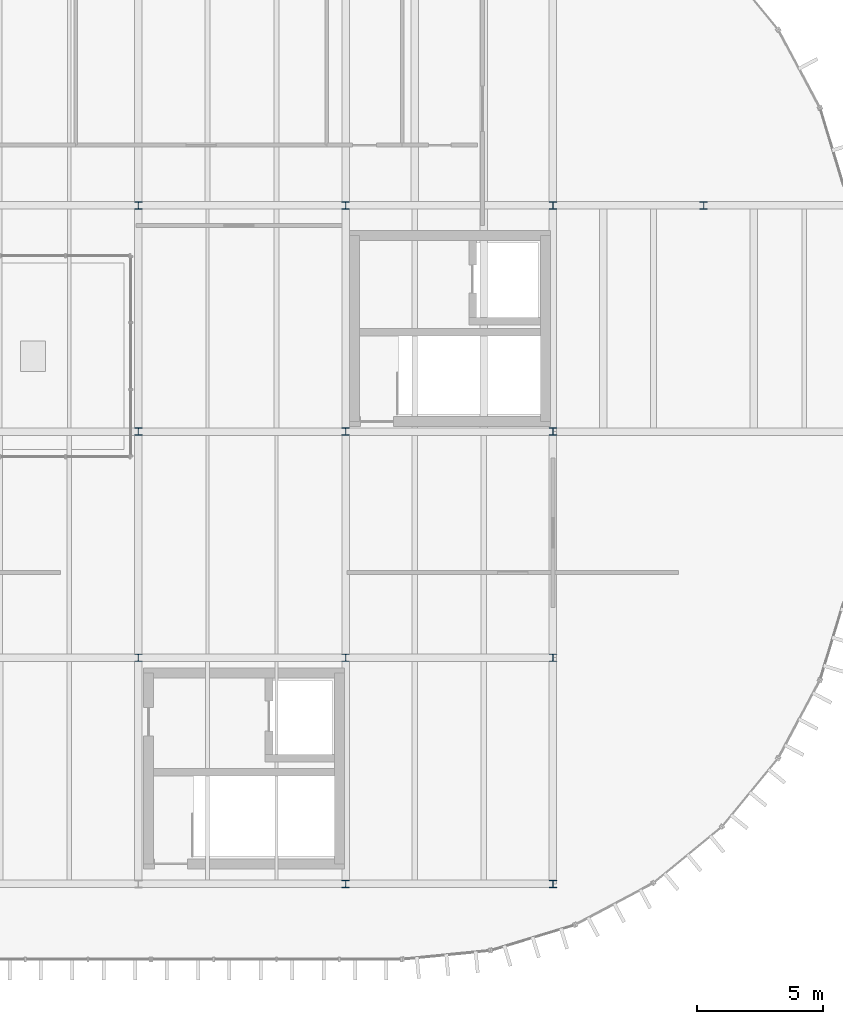
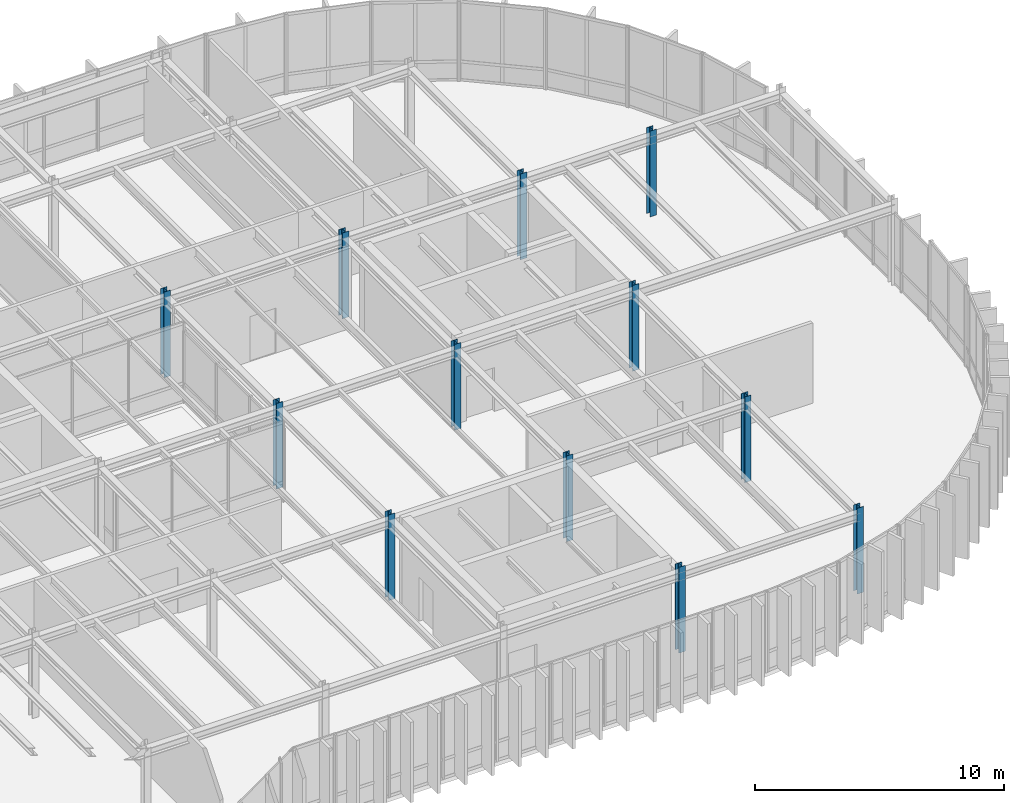
# One storey, part 3 of 21: 12 columns.
"""IFC4 building model written with IfcOpenShell, lengths in metres."""

from ifc_helpers import new_model, si_unit, direction, frame, origin, origin_2d, place, context, subcontext, project, spatial, i_section, extrude, material, material_profile, profile_set, type_object, element, save


model = new_model("IFC4")

# Units and contexts
model_context = context("Model", 3, precision=1e-05, world=origin(), true_north=direction((0.0, 1.0)))
body_context = subcontext(model_context, "Body", "Model", "MODEL_VIEW")
ifc_project = project(units=[si_unit("LENGTHUNIT", "METRE"), si_unit("AREAUNIT", "SQUARE_METRE"), si_unit("VOLUMEUNIT", "CUBIC_METRE"), si_unit("PLANEANGLEUNIT", "RADIAN"), si_unit("MASSUNIT", "GRAM", prefix="KILO")], contexts=[model_context])

# Site, building, storey
site_placement = place(None, origin())
site = spatial("IfcSite", under=ifc_project, at=site_placement, CompositionType="ELEMENT")
building_placement = place(site_placement, origin())
building = spatial("IfcBuilding", under=site, at=building_placement, Name="Montealbar Specialist Clinic", CompositionType="ELEMENT")
storey_placement = place(building_placement, frame((0.0, 0.0, 26.39990234375)))
storey = spatial("IfcBuildingStorey", under=building, at=storey_placement, Name="L06", CompositionType="ELEMENT", Elevation=26.39990234375)

# Columns
ifc_material = material(Name="Steel S355", Category="steel")
ifc_material_profile_1 = material_profile(ifc_material, i_section(OverallWidth=0.300048828125, OverallDepth=0.2900390625, WebThickness=0.008544921875, FlangeThickness=0.013916015625, FilletRadius=0.027099609375, at=origin_2d()), Name="HEA 300", Category="steel")
ifc_profile_set_1 = profile_set([ifc_material_profile_1], Name="Steel S355")
column_type_1 = type_object("IfcColumnType", Name="COL-S-L06-STD", PredefinedType="COLUMN", material=ifc_profile_set_1)
for number, where, z_axis, x_axis, name in (
    (1, (82.5, 18.0, 0.0), (0.0, 0.0, 1.0), (1.0, 0.0, 0.0), "Column 11/C L06"),
    (2, (82.5, 36.0, 0.0), (0.0, 0.0, 1.0), (1.0, 0.0, 0.0), "Column 11/E L06"),
    (3, (90.75, 9.0, 0.0), (0.0, 0.0, 1.0), (1.0, 0.0, 0.0), "Column 12/B L06"),
    (4, (90.75, 18.0, 0.0), (0.0, 0.0, 1.0), (1.0, 0.0, 0.0), "Column 12/C L06"),
    (5, (90.75, 27.0, 0.0), (0.0, 0.0, 1.0), (1.0, 0.0, 0.0), "Column 12/D L06"),
    (6, (90.75, 36.0, 0.0), (0.0, 0.0, 1.0), (1.0, 0.0, 0.0), "Column 12/E L06"),
    (7, (99.0, 9.0, 0.0), (0.0, 0.0, 1.0), (1.0, 0.0, 0.0), "Column 13/B L06"),
    (8, (99.0, 18.0, 0.0), (0.0, 0.0, 1.0), (1.0, 0.0, 0.0), "Column 13/C L06"),
    (9, (99.0, 27.0, 0.0), (0.0, 0.0, 1.0), (1.0, 0.0, 0.0), "Column 13/D L06"),
    (10, (99.0, 36.0, 0.0), (0.0, 0.0, 1.0), (1.0, 0.0, 0.0), "Column 13/E L06"),
    (11, (105.0, 36.0, 0.0), (0.0, 0.0, 1.0), (1.0, 0.0, 0.0), "Column 14/E L06"),
):
    element("IfcColumn", number, at=place(storey_placement, frame(where, z_axis=z_axis, x_axis=x_axis)), inside=storey, type_object=column_type_1, Name=name, PredefinedType="COLUMN", context=body_context, shape_type="SweptSolid", body=[
        extrude(i_section(OverallWidth=0.300048828125, OverallDepth=0.2900390625, WebThickness=0.008544921875, FlangeThickness=0.013916015625, FilletRadius=0.027099609375, at=origin_2d()), origin(), (0.0, 0.0, 1.0), 4.2001953125),
    ])
ifc_material_profile_2 = material_profile(ifc_material, i_section(OverallWidth=0.300048828125, OverallDepth=0.2900390625, WebThickness=0.008544921875, FlangeThickness=0.013916015625, FilletRadius=0.027099609375, at=origin_2d()), Name="HEA 300", Category="steel")
ifc_profile_set_2 = profile_set([ifc_material_profile_2], Name="Steel S355")
column_type_2 = type_object("IfcColumnType", Name="COL-S-L06-STD-EXT", PredefinedType="COLUMN", material=ifc_profile_set_2)
column_placement = place(storey_placement, frame((82.5, 27.0, 0.0), z_axis=(0.0, 0.0, 1.0), x_axis=(1.0, 0.0, 0.0)))
element("IfcColumn", 12, at=column_placement, inside=storey, type_object=column_type_2, Name="Column 11/D L06", PredefinedType="COLUMN", context=body_context, shape_type="SweptSolid", body=[
    extrude(i_section(OverallWidth=0.300048828125, OverallDepth=0.2900390625, WebThickness=0.008544921875, FlangeThickness=0.013916015625, FilletRadius=0.027099609375, at=origin_2d()), origin(), (0.0, 0.0, 1.0), 4.2001953125),
])

save(model, "model.ifc")
